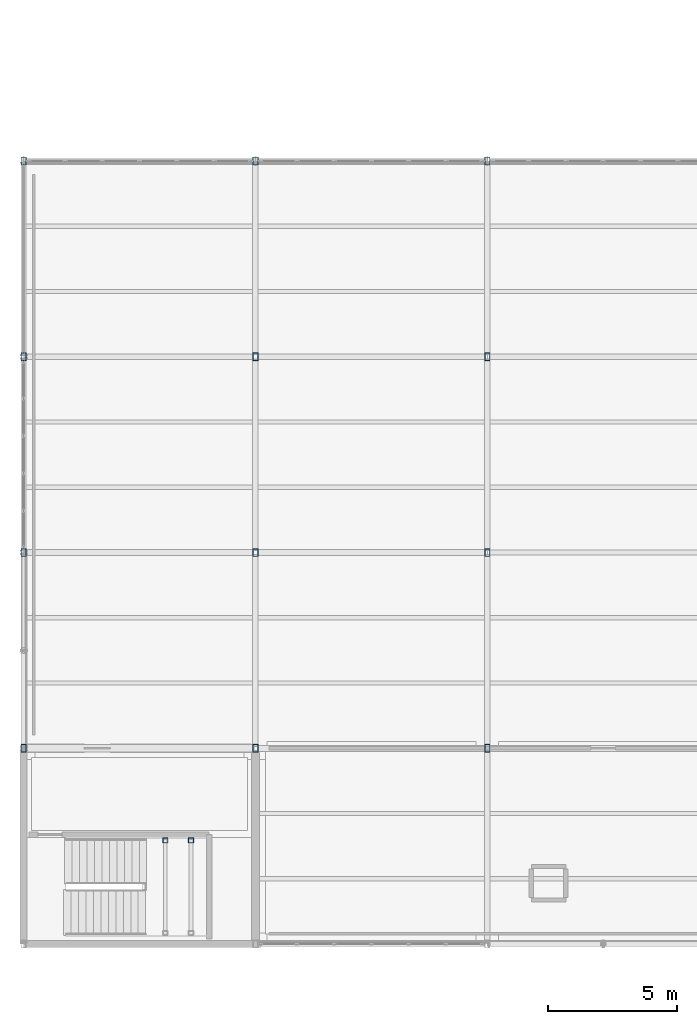
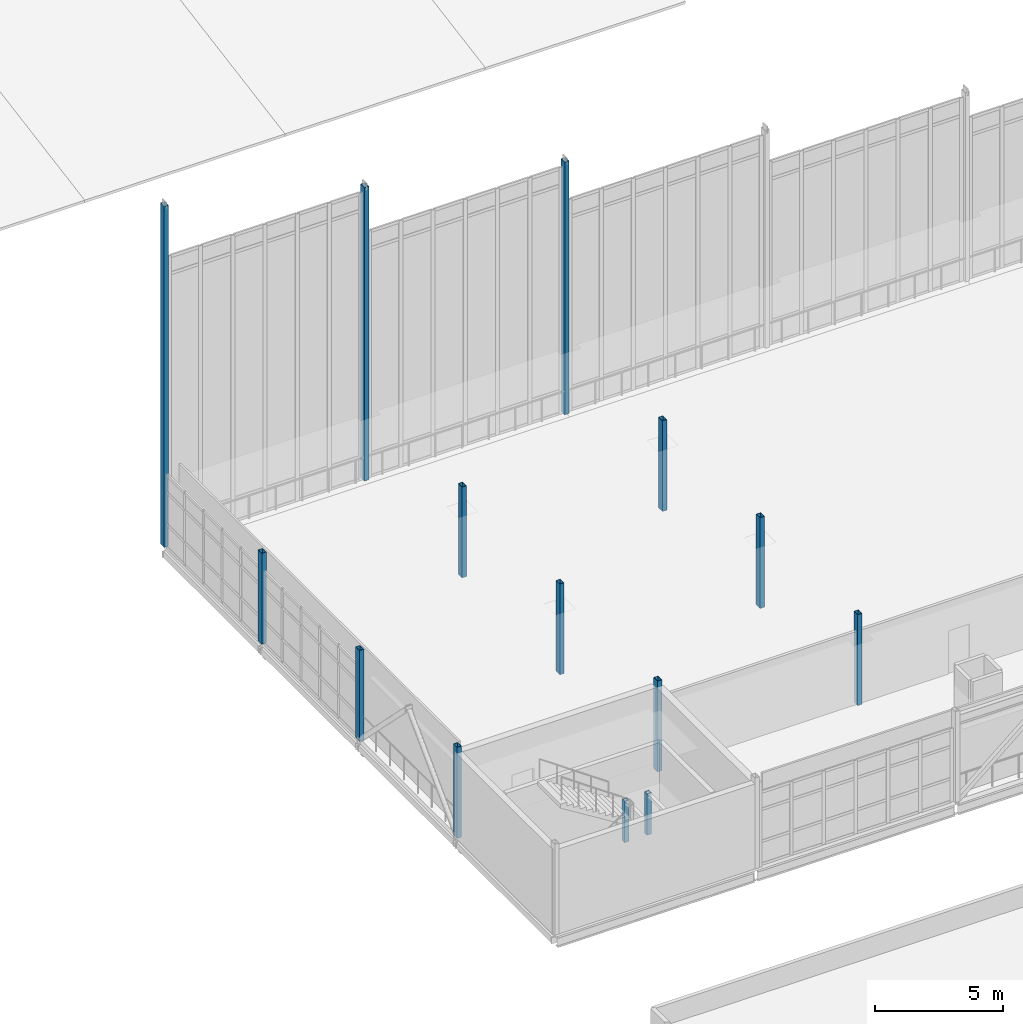
# One storey, part 4 of 166: 14 columns.
"""IFC4 building model written with IfcOpenShell, lengths in metres."""

from ifc_helpers import new_model, si_unit, direction, frame, origin, origin_2d, place, context, subcontext, project, spatial, hollow_rectangle, extrude, material, material_profile, profile_set, type_object, element, save


model = new_model("IFC4")

# Units and contexts
model_context = context("Model", 3, precision=1e-05, world=origin(), true_north=direction((0.0, 1.0)))
body_context = subcontext(model_context, "Body", "Model", "MODEL_VIEW")
ifc_project = project(units=[si_unit("LENGTHUNIT", "METRE"), si_unit("AREAUNIT", "SQUARE_METRE"), si_unit("VOLUMEUNIT", "CUBIC_METRE"), si_unit("PLANEANGLEUNIT", "RADIAN"), si_unit("MASSUNIT", "GRAM", prefix="KILO")], contexts=[model_context])

# Site, building, storey
site_placement = place(None, origin())
site = spatial("IfcSite", under=ifc_project, at=site_placement, CompositionType="ELEMENT")
building_placement = place(site_placement, origin())
building = spatial("IfcBuilding", under=site, at=building_placement, Name="Caisbarro Railhouse Central Library", CompositionType="ELEMENT")
storey_placement = place(building_placement, frame((0.0, 0.0, 9.360107421875)))
storey = spatial("IfcBuildingStorey", under=building, at=storey_placement, Name="L02", CompositionType="ELEMENT", Elevation=9.360107421875)

# Columns
ifc_material = material(Name="Steel ASTM A572 Grade 50", Category="steel")
ifc_material_profile_1 = material_profile(ifc_material, hollow_rectangle(XDim=0.199951171875, YDim=0.300048828125, WallThickness=0.012451171875, at=origin_2d()), Name="HSS300X200X12.5")
ifc_profile_set_1 = profile_set([ifc_material_profile_1], Name="Steel ASTM A572 Grade 50")
column_type_1 = type_object("IfcColumnType", Name="COL-C09", PredefinedType="COLUMN", material=ifc_profile_set_1)
for number, where, z_axis, x_axis, name in (
    (1, (0.0, 38.0, 0.0), (0.0, 0.0, 1.0), (1.0, 0.0, 0.0), "C09 column L02 (0.0,38.0)"),
    (2, (0.0, 45.60009765625, 0.0), (0.0, 0.0, 1.0), (1.0, 0.0, 0.0), "C09 column L02 (0.0,45.6)"),
    (3, (0.0, 53.199951171875, 0.0), (0.0, 0.0, 1.0), (1.0, 0.0, 0.0), "C09 column L02 (0.0,53.2)"),
):
    element("IfcColumn", number, at=place(storey_placement, frame(where, z_axis=z_axis, x_axis=x_axis)), inside=storey, type_object=column_type_1, Name=name, PredefinedType="COLUMN", context=body_context, shape_type="SweptSolid", body=[
        extrude(hollow_rectangle(XDim=0.199951171875, YDim=0.300048828125, WallThickness=0.012451171875, at=origin_2d()), origin(), (0.0, 0.0, 1.0), 4.31982421875),
    ])
column_1_placement = place(storey_placement, frame((0.0, 60.800048828125, 0.0), z_axis=(0.0, 0.0, 1.0), x_axis=(1.0, 0.0, 0.0)))
element("IfcColumn", 4, at=column_1_placement, inside=storey, type_object=column_type_1, Name="C09 column L02 (0.0,60.8)", PredefinedType="COLUMN", context=body_context, shape_type="SweptSolid", body=[
    extrude(hollow_rectangle(XDim=0.199951171875, YDim=0.300048828125, WallThickness=0.012451171875, at=origin_2d()), origin(), (0.0, 0.0, 1.0), 16.18994140625),
])
for number, where, z_axis, x_axis, name in (
    (5, (9.0, 38.0, 0.0), (0.0, 0.0, 1.0), (1.0, 0.0, 0.0), "C09 column L02 (9.0,38.0)"),
    (6, (9.0, 45.60009765625, 0.0), (0.0, 0.0, 1.0), (1.0, 0.0, 0.0), "C09 column L02 (9.0,45.6)"),
    (7, (9.0, 53.199951171875, 0.0), (0.0, 0.0, 1.0), (1.0, 0.0, 0.0), "C09 column L02 (9.0,53.2)"),
):
    element("IfcColumn", number, at=place(storey_placement, frame(where, z_axis=z_axis, x_axis=x_axis)), inside=storey, type_object=column_type_1, Name=name, PredefinedType="COLUMN", context=body_context, shape_type="SweptSolid", body=[
        extrude(hollow_rectangle(XDim=0.199951171875, YDim=0.300048828125, WallThickness=0.012451171875, at=origin_2d()), origin(), (0.0, 0.0, 1.0), 4.31982421875),
    ])
column_2_placement = place(storey_placement, frame((9.0, 60.800048828125, 0.0), z_axis=(0.0, 0.0, 1.0), x_axis=(1.0, 0.0, 0.0)))
element("IfcColumn", 8, at=column_2_placement, inside=storey, type_object=column_type_1, Name="C09 column L02 (9.0,60.8)", PredefinedType="COLUMN", context=body_context, shape_type="SweptSolid", body=[
    extrude(hollow_rectangle(XDim=0.199951171875, YDim=0.300048828125, WallThickness=0.012451171875, at=origin_2d()), origin(), (0.0, 0.0, 1.0), 13.93994140625),
])
for number, where, z_axis, x_axis, name in (
    (9, (18.0, 38.0, 0.0), (0.0, 0.0, 1.0), (1.0, 0.0, 0.0), "C09 column L02 (18.0,38.0)"),
    (10, (18.0, 45.60009765625, 0.0), (0.0, 0.0, 1.0), (1.0, 0.0, 0.0), "C09 column L02 (18.0,45.6)"),
    (11, (18.0, 53.199951171875, 0.0), (0.0, 0.0, 1.0), (1.0, 0.0, 0.0), "C09 column L02 (18.0,53.2)"),
):
    element("IfcColumn", number, at=place(storey_placement, frame(where, z_axis=z_axis, x_axis=x_axis)), inside=storey, type_object=column_type_1, Name=name, PredefinedType="COLUMN", context=body_context, shape_type="SweptSolid", body=[
        extrude(hollow_rectangle(XDim=0.199951171875, YDim=0.300048828125, WallThickness=0.012451171875, at=origin_2d()), origin(), (0.0, 0.0, 1.0), 4.31982421875),
    ])
column_3_placement = place(storey_placement, frame((18.0, 60.800048828125, 0.0), z_axis=(0.0, 0.0, 1.0), x_axis=(1.0, 0.0, 0.0)))
element("IfcColumn", 12, at=column_3_placement, inside=storey, type_object=column_type_1, Name="C09 column L02 (18.0,60.8)", PredefinedType="COLUMN", context=body_context, shape_type="SweptSolid", body=[
    extrude(hollow_rectangle(XDim=0.199951171875, YDim=0.300048828125, WallThickness=0.012451171875, at=origin_2d()), origin(), (0.0, 0.0, 1.0), 11.989990234375),
])
ifc_material_profile_2 = material_profile(ifc_material, hollow_rectangle(XDim=0.199951171875, YDim=0.199951171875, WallThickness=0.012451171875, at=origin_2d()), Name="HSS200X200X12.5")
ifc_profile_set_2 = profile_set([ifc_material_profile_2], Name="Steel ASTM A572 Grade 50")
column_type_2 = type_object("IfcColumnType", Name="COL-C10", PredefinedType="COLUMN", material=ifc_profile_set_2)
for number, where, z_axis, x_axis, name in (
    (13, (5.5, 34.429931640625, 0.0), (0.0, 0.0, 1.0), (1.0, 0.0, 0.0), "C10 Stair Landing Post K6 L02.2"),
    (14, (6.5, 34.429931640625, 0.0), (0.0, 0.0, 1.0), (1.0, 0.0, 0.0), "C10 Stair Landing Post K6 L02.4"),
):
    element("IfcColumn", number, at=place(storey_placement, frame(where, z_axis=z_axis, x_axis=x_axis)), inside=storey, type_object=column_type_2, Name=name, PredefinedType="COLUMN", context=body_context, shape_type="SweptSolid", body=[
        extrude(hollow_rectangle(XDim=0.199951171875, YDim=0.199951171875, WallThickness=0.012451171875, at=origin_2d()), origin(), (0.0, 0.0, 1.0), 1.969970703125),
    ])

save(model, "model.ifc")
